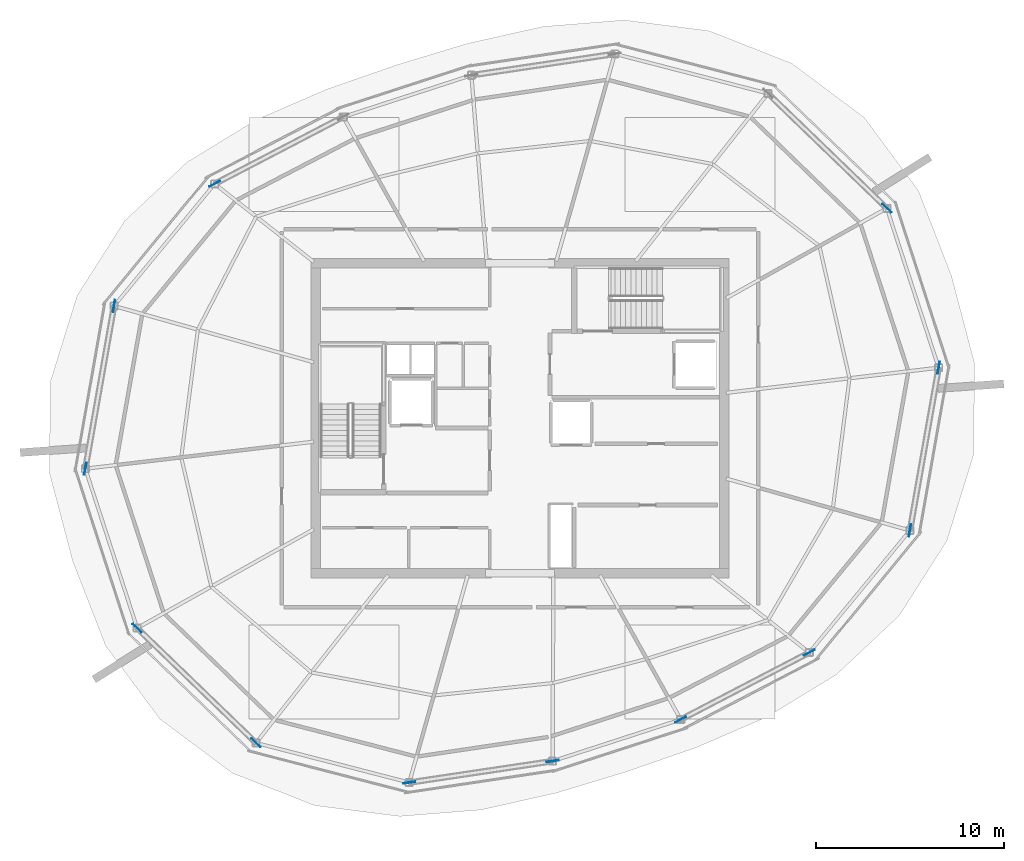
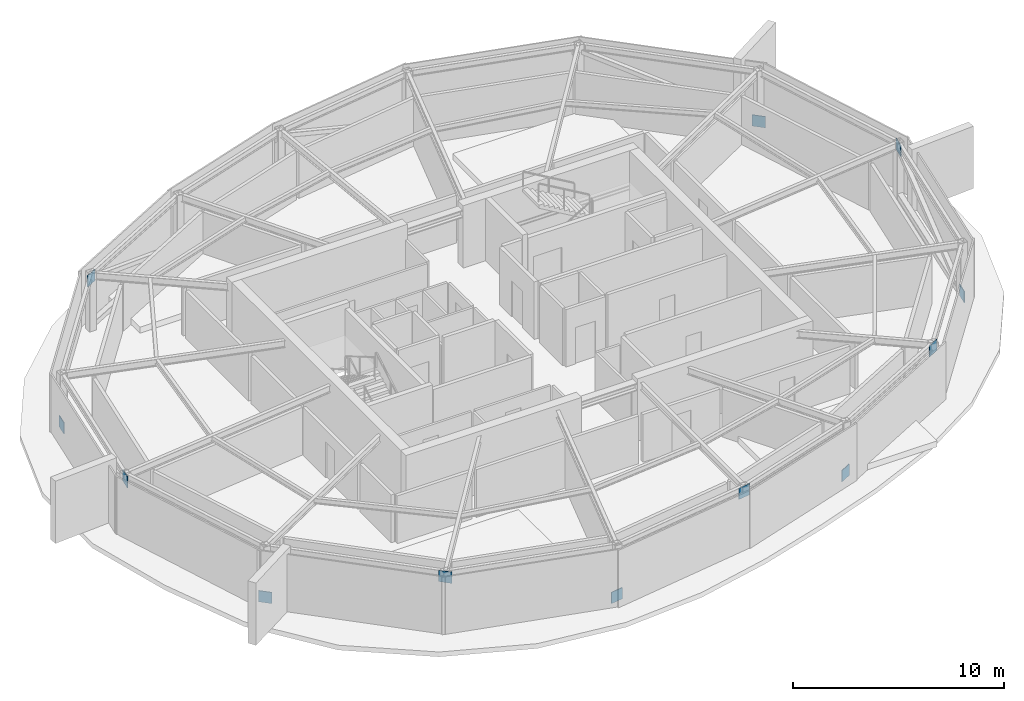
# One storey, part 6 of 10: 12 plates.
"""IFC4 building model written with IfcOpenShell, lengths in metres."""

from ifc_helpers import new_model, si_unit, direction, frame, origin, origin_2d, place, context, subcontext, project, spatial, rectangle, extrude, material, layer, layer_set, type_object, element, save


model = new_model("IFC4")

# Units and contexts
model_context = context("Model", 3, precision=1e-05, world=origin(), true_north=direction((0.0, 1.0)))
body_context = subcontext(model_context, "Body", "Model", "MODEL_VIEW")
ifc_project = project(units=[si_unit("LENGTHUNIT", "METRE"), si_unit("AREAUNIT", "SQUARE_METRE"), si_unit("VOLUMEUNIT", "CUBIC_METRE"), si_unit("PLANEANGLEUNIT", "RADIAN"), si_unit("MASSUNIT", "GRAM", prefix="KILO")], contexts=[model_context])

# Site, building, storey
site_placement = place(None, origin())
site = spatial("IfcSite", under=ifc_project, at=site_placement, CompositionType="ELEMENT")
building_placement = place(site_placement, origin())
building = spatial("IfcBuilding", under=site, at=building_placement, Name="Kazma Halo Residences", CompositionType="ELEMENT")
storey_placement = place(building_placement, frame((0.0, 0.0, 370.39990234375)))
storey = spatial("IfcBuildingStorey", under=building, at=storey_placement, Name="L93", CompositionType="ELEMENT", Elevation=370.39990234375)

# Plates
ifc_material = material(Name="Steel S355", Category="steel")
ifc_layer = layer(ifc_material, 0.0400390625)
ifc_layer_set = layer_set([ifc_layer], Name="Steel S355")
plate_type = type_object("IfcPlateType", Name="PLT-GUSSET-40", PredefinedType="SHEET", material=ifc_layer_set)
for number, where, z_axis, x_axis, name in (
    (1, (67.940673828125, 53.167236328125, -0.044921875), (0.0, 0.0, 1.0), (-0.719342064482, 0.694656025863, 0.0), "L93 crown brace lower gusset 01"),
    (2, (32.184814453125, 54.467529296875, 2.615234375), (0.0, 0.0, 1.0), (-0.886949727325, -0.461865977529, 0.0), "L93 crown brace upper gusset 05"),
    (3, (26.830078125, 47.970458984375, -0.044921875), (0.0, 0.0, 1.0), (-0.173656186938, -0.984806340728, 0.0), "L93 crown brace lower gusset 07"),
    (4, (25.3037109375, 39.313720703125, 2.615234375), (0.0, 0.0, 1.0), (-0.173656186938, -0.984806340728, 0.0), "L93 crown brace upper gusset 07"),
    (5, (28.059326171875, 30.832763671875, -0.044921875), (0.0, 0.0, 1.0), (0.719342064482, -0.694656025863, 0.0), "L93 crown brace lower gusset 09"),
    (6, (34.382568359375, 24.726318359375, 2.615234375), (0.0, 0.0, 1.0), (0.719342064482, -0.694656025863, 0.0), "L93 crown brace upper gusset 09"),
    (7, (42.53369140625, 22.61767578125, -0.044921875), (0.0, 0.0, 1.0), (0.98903421845, 0.147686542161, 0.0), "L93 crown brace lower gusset 11"),
    (8, (50.1591796875, 23.75634765625, 2.615234375), (0.0, 0.0, 1.0), (0.98903421845, 0.147686542161, 0.0), "L93 crown brace upper gusset 11"),
    (9, (56.9765625, 25.97119140625, -0.044921875), (0.0, 0.0, 1.0), (0.886949727325, 0.461865977529, 0.0), "L93 crown brace lower gusset 13"),
    (10, (63.815185546875, 29.532470703125, 2.615234375), (0.0, 0.0, 1.0), (0.886949727325, 0.461865977529, 0.0), "L93 crown brace upper gusset 13"),
    (11, (69.169921875, 36.029541015625, -0.044921875), (0.0, 0.0, 1.0), (0.173656186938, 0.984806340728, 0.0), "L93 crown brace lower gusset 15"),
    (12, (70.6962890625, 44.686279296875, 2.615234375), (0.0, 0.0, 1.0), (0.173656186938, 0.984806340728, 0.0), "L93 crown brace upper gusset 15"),
):
    element("IfcPlate", number, at=place(storey_placement, frame(where, z_axis=z_axis, x_axis=x_axis)), inside=storey, type_object=plate_type, Name=name, PredefinedType="SHEET", context=body_context, shape_type="SweptSolid", body=[
        extrude(rectangle(XDim=0.64990234375, YDim=0.0400390625, at=origin_2d()), origin(), (0.0, 0.0, 1.0), 0.64990234375),
    ])

save(model, "model.ifc")
